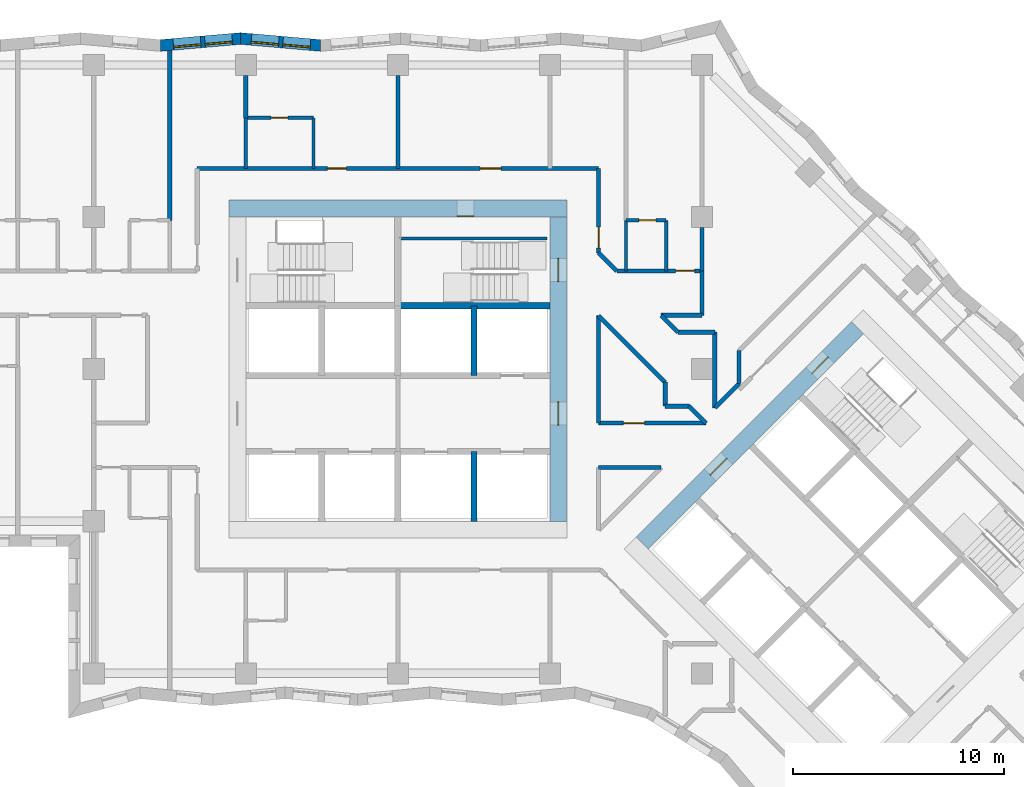
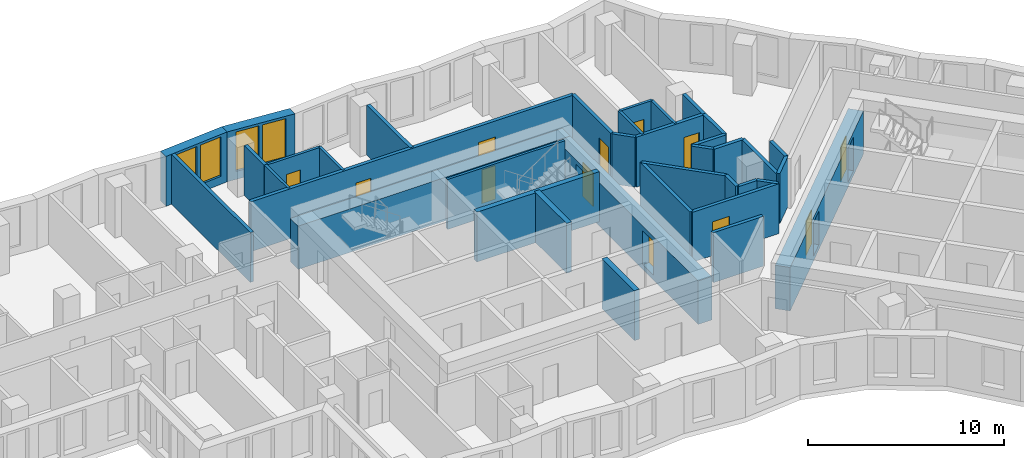
# One storey, part 6 of 12: 37 walls, 12 doors, 4 windows, 16 openings.
"""IFC4 building model written with IfcOpenShell, lengths in metres."""

from ifc_helpers import new_model, si_unit, direction, frame, frame_2d, origin, place, context, subcontext, project, spatial, polyline, rectangle, outline, extrude, material, layer, layer_set, type_object, element, fill, save


model = new_model("IFC4")

# Units and contexts
model_context = context("Model", 3, precision=1e-05, world=origin(), true_north=direction((0.0, 1.0)))
body_context = subcontext(model_context, "Body", "Model", "MODEL_VIEW")
ifc_project = project(units=[si_unit("LENGTHUNIT", "METRE"), si_unit("AREAUNIT", "SQUARE_METRE"), si_unit("VOLUMEUNIT", "CUBIC_METRE"), si_unit("PLANEANGLEUNIT", "RADIAN"), si_unit("MASSUNIT", "GRAM", prefix="KILO")], contexts=[model_context])

# Site, building, storey
site_placement = place(None, origin())
site = spatial("IfcSite", under=ifc_project, at=site_placement, CompositionType="ELEMENT")
building_placement = place(site_placement, origin())
building = spatial("IfcBuilding", under=site, at=building_placement, Name="Windrow Commons", CompositionType="ELEMENT")
storey_placement = place(building_placement, frame((0.0, 0.0, 84.6)))
storey = spatial("IfcBuildingStorey", under=building, at=storey_placement, Name="L22", CompositionType="ELEMENT", Elevation=84.6)

# Wall, openings, windows
ifc_material_1 = material(Name="Brick masonry, red clay brick", Category="masonry")
ifc_layer_1 = layer(ifc_material_1, 0.55)
ifc_layer_set_1 = layer_set([ifc_layer_1], Name="Brick facade wall 550")
wall_type_1 = type_object("IfcWallType", Name="Brick facade wall 550", PredefinedType="SOLIDWALL", material=ifc_layer_set_1)
wall_1_placement = place(storey_placement, frame((61.141, 72.924, 0.0), z_axis=(0.0, 0.0, 1.0), x_axis=(-0.9962273538, 0.0867816769, 0.0)))
wall_1 = element("IfcWall", 1, at=wall_1_placement, inside=storey, type_object=wall_type_1, Name="Brick facade wall L22 26", PredefinedType="SOLIDWALL", context=body_context, shape_type="SweptSolid", body=[
    extrude(outline(polyline([(0.024, -0.275), (3.8266, -0.275), (3.7787, 0.275), (-0.024, 0.275), (0.024, -0.275)])), origin(), (0.0, 0.0, 1.0), 3.1),
])
opening_1_placement = place(wall_1_placement, frame((0.4893, 0.0, 0.5)))
opening_1 = element("IfcOpeningElement", 2, at=opening_1_placement, cuts=wall_1, Name="Opening W1P", PredefinedType="OPENING", context=body_context, shape_type="SweptSolid", body=[
    extrude(rectangle(XDim=1.3, YDim=2.45, at=frame_2d((0.65, 1.225))), frame((0.0, 0.285, 0.0), z_axis=(0.0, -1.0, 0.0), x_axis=(1.0, 0.0, 0.0)), (0.0, 0.0, 1.0), 0.57),
])
opening_2_placement = place(wall_1_placement, frame((1.9893, 0.0, 0.5)))
opening_2 = element("IfcOpeningElement", 3, at=opening_2_placement, cuts=wall_1, Name="Opening W1P", PredefinedType="OPENING", context=body_context, shape_type="SweptSolid", body=[
    extrude(rectangle(XDim=1.3, YDim=2.45, at=frame_2d((0.65, 1.225))), frame((0.0, 0.285, 0.0), z_axis=(0.0, -1.0, 0.0), x_axis=(1.0, 0.0, 0.0)), (0.0, 0.0, 1.0), 0.57),
])
ifc_material_2 = material(Name="Clear float glass in anodised aluminium frame", Category="aluminium")
window_type = type_object("IfcWindowType", Name="Window W1P pair 1300x2450", PartitioningType="SINGLE_PANEL", PredefinedType="WINDOW", material=ifc_material_2)
window_1_placement = place(opening_1_placement, origin())
window_1 = element("IfcWindow", 4, at=window_1_placement, inside=storey, type_object=window_type, Name="Window L22 26.1A", OverallHeight=2.45, OverallWidth=1.3, PartitioningType="SINGLE_PANEL", PredefinedType="WINDOW", context=body_context, shape_type="SweptSolid", body=[
    extrude(rectangle(XDim=1.3, YDim=2.45, at=frame_2d((0.65, 1.225))), frame((0.0, 0.155, 0.0), z_axis=(0.0, -1.0, 0.0), x_axis=(1.0, 0.0, 0.0)), (0.0, 0.0, 1.0), 0.06),
])
fill(opening_1, window_1)
window_2_placement = place(opening_2_placement, origin())
window_2 = element("IfcWindow", 5, at=window_2_placement, inside=storey, type_object=window_type, Name="Window L22 26.1B", OverallHeight=2.45, OverallWidth=1.3, PartitioningType="SINGLE_PANEL", PredefinedType="WINDOW", context=body_context, shape_type="SweptSolid", body=[
    extrude(rectangle(XDim=1.3, YDim=2.45, at=frame_2d((0.65, 1.225))), frame((0.0, 0.155, 0.0), z_axis=(0.0, -1.0, 0.0), x_axis=(1.0, 0.0, 0.0)), (0.0, 0.0, 1.0), 0.06),
])
fill(opening_2, window_2)

wall_2_placement = place(storey_placement, frame((57.3527, 73.254, 0.0), z_axis=(0.0, 0.0, 1.0), x_axis=(-0.9962273538, -0.0867816769, 0.0)))
wall_2 = element("IfcWall", 6, at=wall_2_placement, inside=storey, type_object=wall_type_1, Name="Brick facade wall L22 27", PredefinedType="SOLIDWALL", context=body_context, shape_type="SweptSolid", body=[
    extrude(outline(polyline([(-0.024, -0.275), (3.7787, -0.275), (3.8266, 0.275), (0.024, 0.275), (-0.024, -0.275)])), origin(), (0.0, 0.0, 1.0), 3.1),
])
opening_3_placement = place(wall_2_placement, frame((0.3947, 0.0, 0.5)))
opening_3 = element("IfcOpeningElement", 7, at=opening_3_placement, cuts=wall_2, Name="Opening W1P", PredefinedType="OPENING", context=body_context, shape_type="SweptSolid", body=[
    extrude(rectangle(XDim=1.3, YDim=2.45, at=frame_2d((0.65, 1.225))), frame((0.0, 0.285, 0.0), z_axis=(0.0, -1.0, 0.0), x_axis=(1.0, 0.0, 0.0)), (0.0, 0.0, 1.0), 0.57),
])
opening_4_placement = place(wall_2_placement, frame((1.8947, 0.0, 0.5)))
opening_4 = element("IfcOpeningElement", 8, at=opening_4_placement, cuts=wall_2, Name="Opening W1P", PredefinedType="OPENING", context=body_context, shape_type="SweptSolid", body=[
    extrude(rectangle(XDim=1.3, YDim=2.45, at=frame_2d((0.65, 1.225))), frame((0.0, 0.285, 0.0), z_axis=(0.0, -1.0, 0.0), x_axis=(1.0, 0.0, 0.0)), (0.0, 0.0, 1.0), 0.57),
])
window_3_placement = place(opening_3_placement, origin())
window_3 = element("IfcWindow", 9, at=window_3_placement, inside=storey, type_object=window_type, Name="Window L22 27.1A", OverallHeight=2.45, OverallWidth=1.3, PartitioningType="SINGLE_PANEL", PredefinedType="WINDOW", context=body_context, shape_type="SweptSolid", body=[
    extrude(rectangle(XDim=1.3, YDim=2.45, at=frame_2d((0.65, 1.225))), frame((0.0, 0.155, 0.0), z_axis=(0.0, -1.0, 0.0), x_axis=(1.0, 0.0, 0.0)), (0.0, 0.0, 1.0), 0.06),
])
fill(opening_3, window_3)
window_4_placement = place(opening_4_placement, origin())
window_4 = element("IfcWindow", 10, at=window_4_placement, inside=storey, type_object=window_type, Name="Window L22 27.1B", OverallHeight=2.45, OverallWidth=1.3, PartitioningType="SINGLE_PANEL", PredefinedType="WINDOW", context=body_context, shape_type="SweptSolid", body=[
    extrude(rectangle(XDim=1.3, YDim=2.45, at=frame_2d((0.65, 1.225))), frame((0.0, 0.155, 0.0), z_axis=(0.0, -1.0, 0.0), x_axis=(1.0, 0.0, 0.0)), (0.0, 0.0, 1.0), 0.06),
])
fill(opening_4, window_4)

# Wall, openings, doors
ifc_material_3 = material(Name="Blockwork partition", Category="masonry")
ifc_layer_2 = layer(ifc_material_3, 0.2)
ifc_layer_set_2 = layer_set([ifc_layer_2], Name="IW-CORRIDOR-200")
wall_type_2 = type_object("IfcWallType", Name="IW-CORRIDOR-200", PredefinedType="PARTITIONING", material=ifc_layer_set_2)
wall_3_placement = place(storey_placement, frame((55.3, 67.1, 0.0), z_axis=(0.0, 0.0, 1.0), x_axis=(1.0, 0.0, 0.0)))
wall_3 = element("IfcWall", 11, at=wall_3_placement, inside=storey, type_object=wall_type_2, Name="W-L22-W003", PredefinedType="PARTITIONING", context=body_context, shape_type="SweptSolid", body=[
    extrude(rectangle(XDim=19.0, YDim=0.2, at=frame_2d((9.5, 0.0))), origin(), (0.0, 0.0, 1.0), 3.1),
])
opening_5_placement = place(wall_3_placement, frame((6.1607, 0.0, 0.0)))
opening_5 = element("IfcOpeningElement", 12, at=opening_5_placement, cuts=wall_3, Name="Opening D109F", PredefinedType="OPENING", context=body_context, shape_type="SweptSolid", body=[
    extrude(rectangle(XDim=0.9, YDim=2.1, at=frame_2d((0.45, 1.05))), frame((0.0, 0.11, 0.0), z_axis=(0.0, -1.0, 0.0), x_axis=(1.0, 0.0, 0.0)), (0.0, 0.0, 1.0), 0.22),
])
opening_6_placement = place(wall_3_placement, frame((13.3862, 0.0, 0.0)))
opening_6 = element("IfcOpeningElement", 13, at=opening_6_placement, cuts=wall_3, Name="Opening D310F", PredefinedType="OPENING", context=body_context, shape_type="SweptSolid", body=[
    extrude(rectangle(XDim=1.0, YDim=2.1, at=frame_2d((0.5, 1.05))), frame((0.0, 0.11, 0.0), z_axis=(0.0, -1.0, 0.0), x_axis=(1.0, 0.0, 0.0)), (0.0, 0.0, 1.0), 0.22),
])
ifc_material_4 = material(Name="Timber door leaf", Category="wood")
door_type_1 = type_object("IfcDoorType", Name="DT-AMENITY-1000", OperationType="SINGLE_SWING_LEFT", PredefinedType="DOOR", material=ifc_material_4)
door_1_placement = place(opening_6_placement, origin())
door_1 = element("IfcDoor", 14, at=door_1_placement, inside=storey, type_object=door_type_1, Name="D-L22-D008", OperationType="SINGLE_SWING_RIGHT", OverallHeight=2.1, OverallWidth=1.0, PredefinedType="DOOR", context=body_context, shape_type="SweptSolid", body=[
    extrude(rectangle(XDim=1.0, YDim=2.1, at=frame_2d((0.5, 1.05))), frame((0.0, 0.025, 0.0), z_axis=(0.0, -1.0, 0.0), x_axis=(1.0, 0.0, 0.0)), (0.0, 0.0, 1.0), 0.05),
])
fill(opening_6, door_1)
ifc_material_5 = material(Name="Timber door leaf", Category="wood")
door_type_2 = type_object("IfcDoorType", Name="DT-BEDROOM-900", OperationType="SINGLE_SWING_LEFT", PredefinedType="DOOR", material=ifc_material_5)
door_2_placement = place(opening_5_placement, origin())
door_2 = element("IfcDoor", 15, at=door_2_placement, inside=storey, type_object=door_type_2, Name="D-L22-D006", OperationType="SINGLE_SWING_RIGHT", OverallHeight=2.1, OverallWidth=0.9, PredefinedType="DOOR", context=body_context, shape_type="SweptSolid", body=[
    extrude(rectangle(XDim=0.9, YDim=2.1, at=frame_2d((0.45, 1.05))), frame((0.0, 0.025, 0.0), z_axis=(0.0, -1.0, 0.0), x_axis=(1.0, 0.0, 0.0)), (0.0, 0.0, 1.0), 0.05),
])
fill(opening_5, door_2)

# Wall
wall_4_placement = place(storey_placement, frame((74.3, 55.05, 0.0), z_axis=(0.0, 0.0, 1.0), x_axis=(0.0, 1.0, 0.0)))
element("IfcWall", 16, at=wall_4_placement, inside=storey, type_object=wall_type_2, Name="W-L22-W037", PredefinedType="PARTITIONING", context=body_context, shape_type="SweptSolid", body=[
    extrude(rectangle(XDim=5.09, YDim=0.2, at=frame_2d((2.545, 0.0))), origin(), (0.0, 0.0, 1.0), 3.1),
])

# Wall, opening, door
wall_5_placement = place(storey_placement, frame((74.302, 55.05, 0.0), z_axis=(0.0, 0.0, 1.0), x_axis=(1.0, 0.0, 0.0)))
wall_5 = element("IfcWall", 17, at=wall_5_placement, inside=storey, type_object=wall_type_2, Name="W-L22-W038", PredefinedType="PARTITIONING", context=body_context, shape_type="SweptSolid", body=[
    extrude(rectangle(XDim=5.088, YDim=0.2, at=frame_2d((2.544, 0.0))), origin(), (0.0, 0.0, 1.0), 3.1),
])
opening_7_placement = place(wall_5_placement, frame((1.1759, 0.0, 0.0)))
opening_7 = element("IfcOpeningElement", 18, at=opening_7_placement, cuts=wall_5, Name="Opening D310F", PredefinedType="OPENING", context=body_context, shape_type="SweptSolid", body=[
    extrude(rectangle(XDim=1.0, YDim=2.1, at=frame_2d((0.5, 1.05))), frame((0.0, 0.11, 0.0), z_axis=(0.0, -1.0, 0.0), x_axis=(1.0, 0.0, 0.0)), (0.0, 0.0, 1.0), 0.22),
])
door_3_placement = place(opening_7_placement, origin())
door_3 = element("IfcDoor", 19, at=door_3_placement, inside=storey, type_object=door_type_1, Name="D-L22-D030", OperationType="SINGLE_SWING_LEFT", OverallHeight=2.1, OverallWidth=1.0, PredefinedType="DOOR", context=body_context, shape_type="SweptSolid", body=[
    extrude(rectangle(XDim=1.0, YDim=2.1, at=frame_2d((0.5, 1.05))), frame((0.0, 0.025, 0.0), z_axis=(0.0, -1.0, 0.0), x_axis=(1.0, 0.0, 0.0)), (0.0, 0.0, 1.0), 0.05),
])
fill(opening_7, door_3)

# Wall
wall_6_placement = place(storey_placement, frame((74.2986, 60.1366, 0.0), z_axis=(0.0, 0.0, 1.0), x_axis=(0.7071067812, -0.7071067812, 0.0)))
element("IfcWall", 20, at=wall_6_placement, inside=storey, type_object=wall_type_2, Name="W-L22-W044", PredefinedType="PARTITIONING", context=body_context, shape_type="SweptSolid", body=[
    extrude(rectangle(XDim=4.4519, YDim=0.2, at=frame_2d((2.226, 0.0))), origin(), (0.0, 0.0, 1.0), 3.1),
])

# Wall, opening, door
wall_7_placement = place(storey_placement, frame((75.162, 62.25, 0.0), z_axis=(0.0, 0.0, 1.0), x_axis=(1.0, 0.0, 0.0)))
wall_7 = element("IfcWall", 21, at=wall_7_placement, inside=storey, type_object=wall_type_2, Name="W-L22-W053", PredefinedType="PARTITIONING", context=body_context, shape_type="SweptSolid", body=[
    extrude(rectangle(XDim=4.038, YDim=0.2, at=frame_2d((2.019, 0.0))), origin(), (0.0, 0.0, 1.0), 3.1),
])
opening_8_placement = place(wall_7_placement, frame((2.788, 0.0, 0.0)))
opening_8 = element("IfcOpeningElement", 22, at=opening_8_placement, cuts=wall_7, Name="Opening D109S", PredefinedType="OPENING", context=body_context, shape_type="SweptSolid", body=[
    extrude(rectangle(XDim=0.9, YDim=2.1, at=frame_2d((0.45, 1.05))), frame((0.0, 0.11, 0.0), z_axis=(0.0, -1.0, 0.0), x_axis=(1.0, 0.0, 0.0)), (0.0, 0.0, 1.0), 0.22),
])
door_4_placement = place(opening_8_placement, origin())
door_4 = element("IfcDoor", 23, at=door_4_placement, inside=storey, type_object=door_type_2, Name="D-L22-D023", OperationType="SINGLE_SWING_LEFT", OverallHeight=2.1, OverallWidth=0.9, PredefinedType="DOOR", context=body_context, shape_type="SweptSolid", body=[
    extrude(rectangle(XDim=0.9, YDim=2.1, at=frame_2d((0.45, 1.05))), frame((0.0, 0.025, 0.0), z_axis=(0.0, -1.0, 0.0), x_axis=(1.0, 0.0, 0.0)), (0.0, 0.0, 1.0), 0.05),
])
fill(opening_8, door_4)

wall_8_placement = place(storey_placement, frame((74.3, 63.112, 0.0), z_axis=(0.0, 0.0, 1.0), x_axis=(0.0, 1.0, 0.0)))
wall_8 = element("IfcWall", 24, at=wall_8_placement, inside=storey, type_object=wall_type_2, Name="W-L22-W054", PredefinedType="PARTITIONING", context=body_context, shape_type="SweptSolid", body=[
    extrude(rectangle(XDim=3.988, YDim=0.2, at=frame_2d((1.994, 0.0))), origin(), (0.0, 0.0, 1.0), 3.1),
])
opening_9_placement = place(wall_8_placement, frame((0.2174, 0.0, 0.0)))
opening_9 = element("IfcOpeningElement", 25, at=opening_9_placement, cuts=wall_8, Name="Opening D310F", PredefinedType="OPENING", context=body_context, shape_type="SweptSolid", body=[
    extrude(rectangle(XDim=1.0, YDim=2.1, at=frame_2d((0.5, 1.05))), frame((0.0, 0.11, 0.0), z_axis=(0.0, -1.0, 0.0), x_axis=(1.0, 0.0, 0.0)), (0.0, 0.0, 1.0), 0.22),
])
door_5_placement = place(opening_9_placement, origin())
door_5 = element("IfcDoor", 26, at=door_5_placement, inside=storey, type_object=door_type_1, Name="D-L22-D022", OperationType="SINGLE_SWING_RIGHT", OverallHeight=2.1, OverallWidth=1.0, PredefinedType="DOOR", context=body_context, shape_type="SweptSolid", body=[
    extrude(rectangle(XDim=1.0, YDim=2.1, at=frame_2d((0.5, 1.05))), frame((0.0, 0.025, 0.0), z_axis=(0.0, -1.0, 0.0), x_axis=(1.0, 0.0, 0.0)), (0.0, 0.0, 1.0), 0.05),
])
fill(opening_9, door_5)

# Walls
wall_9_placement = place(storey_placement, frame((79.8, 55.774, 0.0), z_axis=(0.0, 0.0, 1.0), x_axis=(0.0, 1.0, 0.0)))
element("IfcWall", 27, at=wall_9_placement, inside=storey, type_object=wall_type_2, Name="W-L22-W059", PredefinedType="PARTITIONING", context=body_context, shape_type="SweptSolid", body=[
    extrude(rectangle(XDim=3.576, YDim=0.2, at=frame_2d((1.788, 0.0))), origin(), (0.0, 0.0, 1.0), 3.1),
])
wall_10_placement = place(storey_placement, frame((74.302, 52.95, 0.0), z_axis=(0.0, 0.0, 1.0), x_axis=(1.0, 0.0, 0.0)))
element("IfcWall", 28, at=wall_10_placement, inside=storey, type_object=wall_type_2, Name="W-L22-W065", PredefinedType="PARTITIONING", context=body_context, shape_type="SweptSolid", body=[
    extrude(rectangle(XDim=2.958, YDim=0.2, at=frame_2d((1.479, 0.0))), origin(), (0.0, 0.0, 1.0), 3.1),
])
wall_11_placement = place(storey_placement, frame((79.2, 60.15, 0.0), z_axis=(0.0, 0.0, 1.0), x_axis=(0.0, 1.0, 0.0)))
element("IfcWall", 29, at=wall_11_placement, inside=storey, type_object=wall_type_2, Name="W-L22-W103", PredefinedType="PARTITIONING", context=body_context, shape_type="SweptSolid", body=[
    extrude(rectangle(XDim=2.1, YDim=0.2, at=frame_2d((1.05, 0.0))), origin(), (0.0, 0.0, 1.0), 3.1),
])
wall_12_placement = place(storey_placement, frame((77.264, 60.15, 0.0), z_axis=(0.0, 0.0, 1.0), x_axis=(1.0, 0.0, 0.0)))
element("IfcWall", 30, at=wall_12_placement, inside=storey, type_object=wall_type_2, Name="W-L22-W122", PredefinedType="PARTITIONING", context=body_context, shape_type="SweptSolid", body=[
    extrude(rectangle(XDim=1.936, YDim=0.2, at=frame_2d((0.968, 0.0))), origin(), (0.0, 0.0, 1.0), 3.1),
])
wall_13_placement = place(storey_placement, frame((78.062, 59.35, 0.0), z_axis=(0.0, 0.0, 1.0), x_axis=(1.0, 0.0, 0.0)))
element("IfcWall", 31, at=wall_13_placement, inside=storey, type_object=wall_type_2, Name="W-L22-W139", PredefinedType="PARTITIONING", context=body_context, shape_type="SweptSolid", body=[
    extrude(rectangle(XDim=1.738, YDim=0.2, at=frame_2d((0.869, 0.0))), origin(), (0.0, 0.0, 1.0), 3.1),
])
wall_14_placement = place(storey_placement, frame((79.8007, 55.7733, 0.0), z_axis=(0.0, 0.0, 1.0), x_axis=(0.7071067812, 0.7071067812, 0.0)))
element("IfcWall", 32, at=wall_14_placement, inside=storey, type_object=wall_type_2, Name="W-L22-W142", PredefinedType="PARTITIONING", context=body_context, shape_type="SweptSolid", body=[
    extrude(rectangle(XDim=1.6235, YDim=0.2, at=frame_2d((0.8117, 0.0))), origin(), (0.0, 0.0, 1.0), 3.1),
])
wall_15_placement = place(storey_placement, frame((74.2965, 63.1085, 0.0), z_axis=(0.0, 0.0, 1.0), x_axis=(0.7071067812, -0.7071067812, 0.0)))
element("IfcWall", 33, at=wall_15_placement, inside=storey, type_object=wall_type_2, Name="W-L22-W148", PredefinedType="PARTITIONING", context=body_context, shape_type="SweptSolid", body=[
    extrude(rectangle(XDim=1.2191, YDim=0.2, at=frame_2d((0.6096, 0.0))), origin(), (0.0, 0.0, 1.0), 3.1),
])
for number, where, z_axis, x_axis, name in (
    (34, (77.452, 55.85, 0.0), (0.0, 0.0, 1.0), (1.0, 0.0, 0.0), "W-L22-W149"),
    (35, (77.45, 55.852, 0.0), (0.0, 0.0, 1.0), (0.0, 1.0, 0.0), "W-L22-W150"),
):
    element("IfcWall", number, at=place(storey_placement, frame(where, z_axis=z_axis, x_axis=x_axis)), inside=storey, type_object=wall_type_2, Name=name, PredefinedType="PARTITIONING", context=body_context, shape_type="SweptSolid", body=[
        extrude(rectangle(XDim=1.14, YDim=0.2, at=frame_2d((0.57, 0.0))), origin(), (0.0, 0.0, 1.0), 3.1),
    ])
for number, where, z_axis, x_axis, name in (
    (36, (77.2605, 60.1445, 0.0), (0.0, 0.0, 1.0), (0.7071067812, -0.7071067812, 0.0), "W-L22-W152"),
    (37, (78.5886, 55.8466, 0.0), (0.0, 0.0, 1.0), (0.7071067812, -0.7071067812, 0.0), "W-L22-W153"),
):
    element("IfcWall", number, at=place(storey_placement, frame(where, z_axis=z_axis, x_axis=x_axis)), inside=storey, type_object=wall_type_2, Name=name, PredefinedType="PARTITIONING", context=body_context, shape_type="SweptSolid", body=[
        extrude(rectangle(XDim=1.1285, YDim=0.2, at=frame_2d((0.5643, 0.0))), origin(), (0.0, 0.0, 1.0), 3.1),
    ])

# Wall, opening, door
ifc_material_6 = material(Name="Blockwork partition", Category="masonry")
ifc_layer_3 = layer(ifc_material_6, 0.15)
ifc_layer_set_3 = layer_set([ifc_layer_3], Name="IW-ENSUITE-150")
wall_type_3 = type_object("IfcWallType", Name="IW-ENSUITE-150", PredefinedType="PARTITIONING", material=ifc_layer_set_3)
wall_16_placement = place(storey_placement, frame((57.6, 69.5, 0.0), z_axis=(0.0, 0.0, 1.0), x_axis=(1.0, 0.0, 0.0)))
wall_16 = element("IfcWall", 38, at=wall_16_placement, inside=storey, type_object=wall_type_3, Name="W-L22-W061", PredefinedType="PARTITIONING", context=body_context, shape_type="SweptSolid", body=[
    extrude(rectangle(XDim=3.2, YDim=0.15, at=frame_2d((1.6, 0.0))), origin(), (0.0, 0.0, 1.0), 3.1),
])
opening_10_placement = place(wall_16_placement, frame((1.1958, 0.0, 0.0)))
opening_10 = element("IfcOpeningElement", 39, at=opening_10_placement, cuts=wall_16, Name="Opening D208N", PredefinedType="OPENING", context=body_context, shape_type="SweptSolid", body=[
    extrude(rectangle(XDim=0.8, YDim=2.1, at=frame_2d((0.4, 1.05))), frame((0.0, 0.085, 0.0), z_axis=(0.0, -1.0, 0.0), x_axis=(1.0, 0.0, 0.0)), (0.0, 0.0, 1.0), 0.17),
])
ifc_material_7 = material(Name="Timber door leaf", Category="wood")
door_type_3 = type_object("IfcDoorType", Name="DT-ENSUITE-800", OperationType="SINGLE_SWING_LEFT", PredefinedType="DOOR", material=ifc_material_7)
door_6_placement = place(opening_10_placement, origin())
door_6 = element("IfcDoor", 40, at=door_6_placement, inside=storey, type_object=door_type_3, Name="D-L22-D007", OperationType="SINGLE_SWING_RIGHT", OverallHeight=2.1, OverallWidth=0.8, PredefinedType="DOOR", context=body_context, shape_type="SweptSolid", body=[
    extrude(rectangle(XDim=0.8, YDim=2.1, at=frame_2d((0.4, 1.05))), frame((0.0, 0.025, 0.0), z_axis=(0.0, -1.0, 0.0), x_axis=(1.0, 0.0, 0.0)), (0.0, 0.0, 1.0), 0.05),
])
fill(opening_10, door_6)

# Walls
for number, where, z_axis, x_axis, name in (
    (41, (57.6, 67.1, 0.0), (0.0, 0.0, 1.0), (0.0, 1.0, 0.0), "W-L22-W083"),
    (42, (60.8, 67.1, 0.0), (0.0, 0.0, 1.0), (0.0, 1.0, 0.0), "W-L22-W084"),
    (43, (75.6, 62.25, 0.0), (0.0, 0.0, 1.0), (0.0, 1.0, 0.0), "W-L22-W085"),
    (44, (77.5, 62.25, 0.0), (0.0, 0.0, 1.0), (0.0, 1.0, 0.0), "W-L22-W086"),
):
    element("IfcWall", number, at=place(storey_placement, frame(where, z_axis=z_axis, x_axis=x_axis)), inside=storey, type_object=wall_type_3, Name=name, PredefinedType="PARTITIONING", context=body_context, shape_type="SweptSolid", body=[
        extrude(rectangle(XDim=2.4, YDim=0.15, at=frame_2d((1.2, 0.0))), origin(), (0.0, 0.0, 1.0), 3.1),
    ])

# Wall, opening, door
wall_17_placement = place(storey_placement, frame((75.6, 64.65, 0.0), z_axis=(0.0, 0.0, 1.0), x_axis=(1.0, 0.0, 0.0)))
wall_17 = element("IfcWall", 45, at=wall_17_placement, inside=storey, type_object=wall_type_3, Name="W-L22-W125", PredefinedType="PARTITIONING", context=body_context, shape_type="SweptSolid", body=[
    extrude(rectangle(XDim=1.9, YDim=0.15, at=frame_2d((0.95, 0.0))), origin(), (0.0, 0.0, 1.0), 3.1),
])
opening_11_placement = place(wall_17_placement, frame((0.6069, 0.0, 0.0)))
opening_11 = element("IfcOpeningElement", 46, at=opening_11_placement, cuts=wall_17, Name="Opening D208N", PredefinedType="OPENING", context=body_context, shape_type="SweptSolid", body=[
    extrude(rectangle(XDim=0.8, YDim=2.1, at=frame_2d((0.4, 1.05))), frame((0.0, 0.085, 0.0), z_axis=(0.0, -1.0, 0.0), x_axis=(1.0, 0.0, 0.0)), (0.0, 0.0, 1.0), 0.17),
])
door_7_placement = place(opening_11_placement, origin())
door_7 = element("IfcDoor", 47, at=door_7_placement, inside=storey, type_object=door_type_3, Name="D-L22-D024", OperationType="SINGLE_SWING_RIGHT", OverallHeight=2.1, OverallWidth=0.8, PredefinedType="DOOR", context=body_context, shape_type="SweptSolid", body=[
    extrude(rectangle(XDim=0.8, YDim=2.1, at=frame_2d((0.4, 1.05))), frame((0.0, 0.025, 0.0), z_axis=(0.0, -1.0, 0.0), x_axis=(1.0, 0.0, 0.0)), (0.0, 0.0, 1.0), 0.05),
])
fill(opening_11, door_7)

# Walls
ifc_material_8 = material(Name="Blockwork partition", Category="masonry")
ifc_layer_4 = layer(ifc_material_8, 0.2)
ifc_layer_set_4 = layer_set([ifc_layer_4], Name="IW-PARTY-200")
wall_type_4 = type_object("IfcWallType", Name="IW-PARTY-200", PredefinedType="PARTITIONING", material=ifc_layer_set_4)
wall_18_placement = place(storey_placement, frame((54.0, 64.65, 0.0), z_axis=(0.0, 0.0, 1.0), x_axis=(0.0, 1.0, 0.0)))
element("IfcWall", 48, at=wall_18_placement, inside=storey, type_object=wall_type_4, Name="W-L22-W019", PredefinedType="PARTITIONING", context=body_context, shape_type="SweptSolid", body=[
    extrude(rectangle(XDim=8.0359, YDim=0.2, at=frame_2d((4.0179, 0.0))), origin(), (0.0, 0.0, 1.0), 3.1),
])
wall_19_placement = place(storey_placement, frame((64.8, 67.1, 0.0), z_axis=(0.0, 0.0, 1.0), x_axis=(0.0, 1.0, 0.0)))
element("IfcWall", 49, at=wall_19_placement, inside=storey, type_object=wall_type_4, Name="W-L22-W045", PredefinedType="PARTITIONING", context=body_context, shape_type="SweptSolid", body=[
    extrude(rectangle(XDim=4.4, YDim=0.2, at=frame_2d((2.2, 0.0))), origin(), (0.0, 0.0, 1.0), 3.1),
])
wall_20_placement = place(storey_placement, frame((79.2, 62.25, 0.0), z_axis=(0.0, 0.0, 1.0), x_axis=(0.0, 1.0, 0.0)))
element("IfcWall", 50, at=wall_20_placement, inside=storey, type_object=wall_type_4, Name="W-L22-W116", PredefinedType="PARTITIONING", context=body_context, shape_type="SweptSolid", body=[
    extrude(rectangle(XDim=2.05, YDim=0.2, at=frame_2d((1.025, 0.0))), origin(), (0.0, 0.0, 1.0), 3.1),
])
wall_21_placement = place(storey_placement, frame((57.6, 69.5, 0.0), z_axis=(0.0, 0.0, 1.0), x_axis=(0.0, 1.0, 0.0)))
element("IfcWall", 51, at=wall_21_placement, inside=storey, type_object=wall_type_4, Name="W-L22-W120", PredefinedType="PARTITIONING", context=body_context, shape_type="SweptSolid", body=[
    extrude(rectangle(XDim=2.0, YDim=0.2, at=frame_2d((1.0, 0.0))), origin(), (0.0, 0.0, 1.0), 3.1),
])
wall_22_placement = place(storey_placement, frame((80.95, 56.92, 0.0), z_axis=(0.0, 0.0, 1.0), x_axis=(0.0, 1.0, 0.0)))
element("IfcWall", 52, at=wall_22_placement, inside=storey, type_object=wall_type_4, Name="W-L22-W144", PredefinedType="PARTITIONING", context=body_context, shape_type="SweptSolid", body=[
    extrude(rectangle(XDim=1.556, YDim=0.2, at=frame_2d((0.778, 0.0))), origin(), (0.0, 0.0, 1.0), 3.1),
])

# Wall, opening, door
ifc_material_9 = material(Name="Concrete C50/60", Category="concrete")
ifc_layer_5 = layer(ifc_material_9, 0.8)
ifc_layer_set_5 = layer_set([ifc_layer_5], Name="RC CORE WALL 800 C50/60")
wall_type_5 = type_object("IfcWallType", Name="RC CORE WALL 800 C50/60", PredefinedType="SHEAR", material=ifc_layer_set_5)
wall_23_placement = place(storey_placement, frame((56.8, 65.2, -0.3), z_axis=(0.0, 0.0, 1.0), x_axis=(1.0, 0.0, 0.0)))
wall_23 = element("IfcWall", 53, at=wall_23_placement, inside=storey, type_object=wall_type_5, Name="Core A wall outer-N", PredefinedType="SHEAR", context=body_context, shape_type="SweptSolid", body=[
    extrude(rectangle(XDim=16.0, YDim=0.8, at=frame_2d((8.0, 0.0))), origin(), (0.0, 0.0, 1.0), 2.7),
])
opening_12_placement = place(wall_23_placement, frame((10.8, 0.0, 0.3)))
opening_12 = element("IfcOpeningElement", 54, at=opening_12_placement, cuts=wall_23, Name="Opening D9", PredefinedType="OPENING", context=body_context, shape_type="SweptSolid", body=[
    extrude(rectangle(XDim=0.8, YDim=2.1, at=frame_2d((0.4, 1.05))), frame((0.0, 0.41, 0.0), z_axis=(0.0, -1.0, 0.0), x_axis=(1.0, 0.0, 0.0)), (0.0, 0.0, 1.0), 0.82),
])
ifc_material_10 = material(Name="Steel fire door leaf", Category="steel")
door_type_4 = type_object("IfcDoorType", Name="Riser access door 800", OperationType="SINGLE_SWING_LEFT", PredefinedType="DOOR", material=ifc_material_10)
door_8_placement = place(opening_12_placement, origin())
door_8 = element("IfcDoor", 55, at=door_8_placement, inside=storey, type_object=door_type_4, Name="Riser access door", OperationType="SINGLE_SWING_RIGHT", OverallHeight=2.1, OverallWidth=0.8, PredefinedType="DOOR", context=body_context, shape_type="SweptSolid", body=[
    extrude(rectangle(XDim=0.8, YDim=2.1, at=frame_2d((0.4, 1.05))), frame((0.0, -0.34, 0.0), z_axis=(0.0, -1.0, 0.0), x_axis=(1.0, 0.0, 0.0)), (0.0, 0.0, 1.0), 0.05),
])
fill(opening_12, door_8)

# Wall, openings, doors
wall_24_placement = place(storey_placement, frame((72.4, 50.4, -0.3), z_axis=(0.0, 0.0, 1.0), x_axis=(0.0, 1.0, 0.0)))
wall_24 = element("IfcWall", 56, at=wall_24_placement, inside=storey, type_object=wall_type_5, Name="Core A wall outer-E", PredefinedType="SHEAR", context=body_context, shape_type="SweptSolid", body=[
    extrude(rectangle(XDim=14.4, YDim=0.8, at=frame_2d((7.2, 0.0))), origin(), (0.0, 0.0, 1.0), 2.7),
])
opening_13_placement = place(wall_24_placement, frame((4.55, 0.0, 0.3)))
opening_13 = element("IfcOpeningElement", 57, at=opening_13_placement, cuts=wall_24, Name="Opening D6", PredefinedType="OPENING", context=body_context, shape_type="SweptSolid", body=[
    extrude(rectangle(XDim=1.1, YDim=2.1, at=frame_2d((0.55, 1.05))), frame((0.0, 0.41, 0.0), z_axis=(0.0, -1.0, 0.0), x_axis=(1.0, 0.0, 0.0)), (0.0, 0.0, 1.0), 0.82),
])
opening_14_placement = place(wall_24_placement, frame((11.35, 0.0, 0.3)))
opening_14 = element("IfcOpeningElement", 58, at=opening_14_placement, cuts=wall_24, Name="Opening D7", PredefinedType="OPENING", context=body_context, shape_type="SweptSolid", body=[
    extrude(rectangle(XDim=1.1, YDim=2.1, at=frame_2d((0.55, 1.05))), frame((0.0, 0.41, 0.0), z_axis=(0.0, -1.0, 0.0), x_axis=(1.0, 0.0, 0.0)), (0.0, 0.0, 1.0), 0.82),
])
ifc_material_11 = material(Name="Steel fire door leaf", Category="steel")
door_type_5 = type_object("IfcDoorType", Name="Core lobby door 1100", OperationType="SINGLE_SWING_LEFT", PredefinedType="DOOR", material=ifc_material_11)
door_9_placement = place(opening_13_placement, origin())
door_9 = element("IfcDoor", 59, at=door_9_placement, inside=storey, type_object=door_type_5, Name="Lift lobby door", OperationType="DOUBLE_DOOR_SINGLE_SWING", OverallHeight=2.1, OverallWidth=1.1, PredefinedType="DOOR", context=body_context, shape_type="SweptSolid", body=[
    extrude(rectangle(XDim=1.1, YDim=2.1, at=frame_2d((0.55, 1.05))), frame((0.0, 0.025, 0.0), z_axis=(0.0, -1.0, 0.0), x_axis=(1.0, 0.0, 0.0)), (0.0, 0.0, 1.0), 0.05),
])
fill(opening_13, door_9)
ifc_material_12 = material(Name="Steel fire door leaf", Category="steel")
door_type_6 = type_object("IfcDoorType", Name="Stair door 1100", OperationType="SINGLE_SWING_LEFT", PredefinedType="DOOR", material=ifc_material_12)
door_10_placement = place(opening_14_placement, origin())
door_10 = element("IfcDoor", 60, at=door_10_placement, inside=storey, type_object=door_type_6, Name="Stair door", OperationType="SINGLE_SWING_RIGHT", OverallHeight=2.1, OverallWidth=1.1, PredefinedType="DOOR", context=body_context, shape_type="SweptSolid", body=[
    extrude(rectangle(XDim=1.1, YDim=2.1, at=frame_2d((0.55, 1.05))), frame((0.0, 0.025, 0.0), z_axis=(0.0, -1.0, 0.0), x_axis=(1.0, 0.0, 0.0)), (0.0, 0.0, 1.0), 0.05),
])
fill(opening_14, door_10)

wall_25_placement = place(storey_placement, frame((76.3716, 49.3726, -0.3), z_axis=(0.0, 0.0, 1.0), x_axis=(0.7071067812, 0.7071067812, 0.0)))
wall_25 = element("IfcWall", 61, at=wall_25_placement, inside=storey, type_object=wall_type_5, Name="Core B wall outer-W", PredefinedType="SHEAR", context=body_context, shape_type="SweptSolid", body=[
    extrude(rectangle(XDim=14.3999, YDim=0.8, at=frame_2d((7.2, 0.0))), origin(), (0.0, 0.0, 1.0), 2.7),
])
opening_15_placement = place(wall_25_placement, frame((4.55, 0.0, 0.3)))
opening_15 = element("IfcOpeningElement", 62, at=opening_15_placement, cuts=wall_25, Name="Opening D6", PredefinedType="OPENING", context=body_context, shape_type="SweptSolid", body=[
    extrude(rectangle(XDim=1.1, YDim=2.1, at=frame_2d((0.55, 1.05))), frame((0.0, 0.41, 0.0), z_axis=(0.0, -1.0, 0.0), x_axis=(1.0, 0.0, 0.0)), (0.0, 0.0, 1.0), 0.82),
])
opening_16_placement = place(wall_25_placement, frame((11.35, 0.0, 0.3)))
opening_16 = element("IfcOpeningElement", 63, at=opening_16_placement, cuts=wall_25, Name="Opening D7", PredefinedType="OPENING", context=body_context, shape_type="SweptSolid", body=[
    extrude(rectangle(XDim=1.1, YDim=2.1, at=frame_2d((0.55, 1.05))), frame((0.0, 0.41, 0.0), z_axis=(0.0, -1.0, 0.0), x_axis=(1.0, 0.0, 0.0)), (0.0, 0.0, 1.0), 0.82),
])
door_11_placement = place(opening_15_placement, origin())
door_11 = element("IfcDoor", 64, at=door_11_placement, inside=storey, type_object=door_type_5, Name="Lift lobby door", OperationType="DOUBLE_DOOR_SINGLE_SWING", OverallHeight=2.1, OverallWidth=1.1, PredefinedType="DOOR", context=body_context, shape_type="SweptSolid", body=[
    extrude(rectangle(XDim=1.1, YDim=2.1, at=frame_2d((0.55, 1.05))), frame((0.0, 0.025, 0.0), z_axis=(0.0, -1.0, 0.0), x_axis=(1.0, 0.0, 0.0)), (0.0, 0.0, 1.0), 0.05),
])
fill(opening_15, door_11)
door_12_placement = place(opening_16_placement, origin())
door_12 = element("IfcDoor", 65, at=door_12_placement, inside=storey, type_object=door_type_6, Name="Stair door", OperationType="SINGLE_SWING_LEFT", OverallHeight=2.1, OverallWidth=1.1, PredefinedType="DOOR", context=body_context, shape_type="SweptSolid", body=[
    extrude(rectangle(XDim=1.1, YDim=2.1, at=frame_2d((0.55, 1.05))), frame((0.0, 0.025, 0.0), z_axis=(0.0, -1.0, 0.0), x_axis=(1.0, 0.0, 0.0)), (0.0, 0.0, 1.0), 0.05),
])
fill(opening_16, door_12)

# Walls
ifc_material_13 = material(Name="Concrete C50/60", Category="concrete")
ifc_layer_6 = layer(ifc_material_13, 0.3)
ifc_layer_set_6 = layer_set([ifc_layer_6], Name="RC SHAFT WALL 300 C50/60")
wall_type_6 = type_object("IfcWallType", Name="RC SHAFT WALL 300 C50/60", PredefinedType="SOLIDWALL", material=ifc_layer_set_6)
for number, where, z_axis, x_axis, name in (
    (66, (68.4, 50.4, 0.0), (0.0, 0.0, 1.0), (0.0, 1.0, 0.0), "Core A wall shaft-S3"),
    (67, (68.4, 57.3, 0.0), (0.0, 0.0, 1.0), (0.0, 1.0, 0.0), "Core A wall shaft-N3"),
):
    element("IfcWall", number, at=place(storey_placement, frame(where, z_axis=z_axis, x_axis=x_axis)), inside=storey, type_object=wall_type_6, Name=name, PredefinedType="SOLIDWALL", context=body_context, shape_type="SweptSolid", body=[
        extrude(rectangle(XDim=3.3, YDim=0.3, at=frame_2d((1.65, 0.0))), origin(), (0.0, 0.0, 1.0), 3.1),
    ])
wall_26_placement = place(storey_placement, frame((64.8, 60.6, 0.0), z_axis=(0.0, 0.0, 1.0), x_axis=(1.0, 0.0, 0.0)))
element("IfcWall", 68, at=wall_26_placement, inside=storey, type_object=wall_type_6, Name="Core A wall stair-S2", PredefinedType="SOLIDWALL", context=body_context, shape_type="SweptSolid", body=[
    extrude(rectangle(XDim=7.2, YDim=0.3, at=frame_2d((3.6, 0.0))), origin(), (0.0, 0.0, 1.0), 3.1),
])
ifc_material_14 = material(Name="Blockwork partition", Category="masonry")
ifc_layer_7 = layer(ifc_material_14, 0.15)
ifc_layer_set_7 = layer_set([ifc_layer_7], Name="Riser partition 150")
wall_type_7 = type_object("IfcWallType", Name="Riser partition 150", PredefinedType="PARTITIONING", material=ifc_layer_set_7)
wall_27_placement = place(storey_placement, frame((64.95, 63.78, 0.0), z_axis=(0.0, 0.0, 1.0), x_axis=(1.0, 0.0, 0.0)))
element("IfcWall", 69, at=wall_27_placement, inside=storey, type_object=wall_type_7, Name="W-core-strip-A-L22", PredefinedType="PARTITIONING", context=body_context, shape_type="SweptSolid", body=[
    extrude(rectangle(XDim=6.9, YDim=0.15, at=frame_2d((3.45, 0.0))), origin(), (0.0, 0.0, 1.0), 3.1),
])

save(model, "model.ifc")
